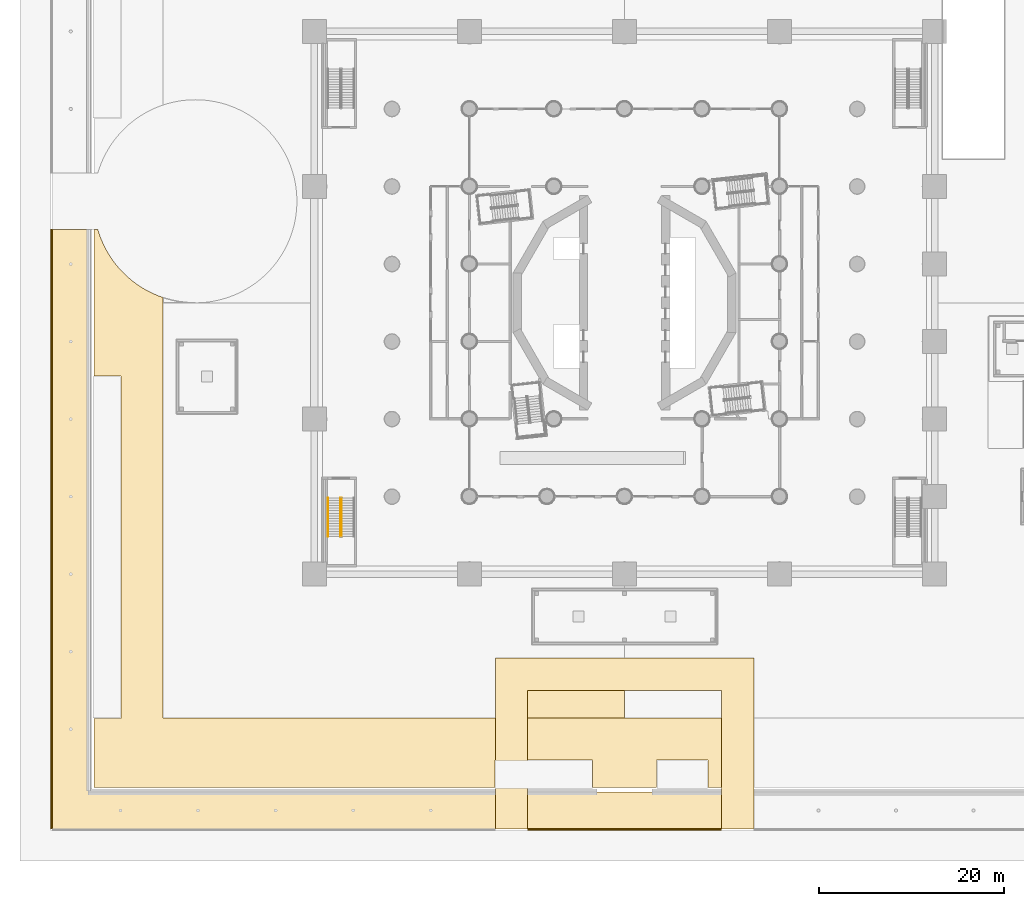
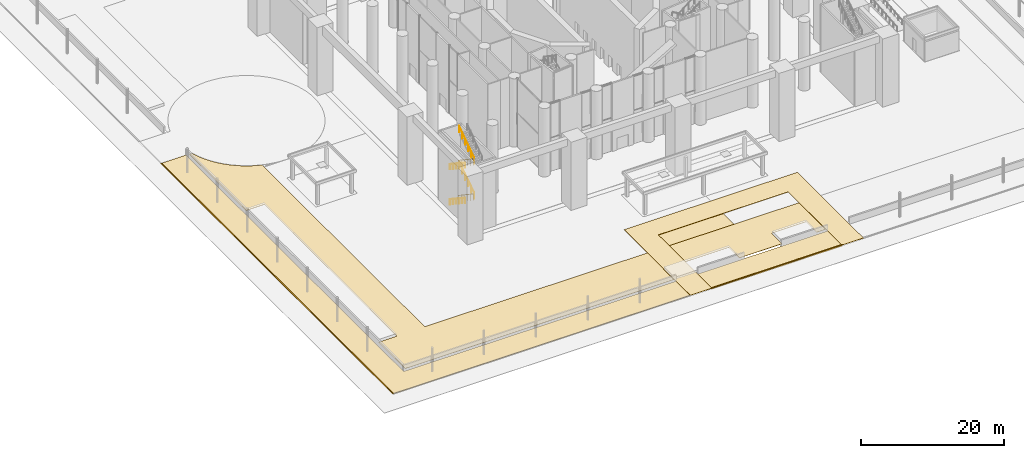
# One storey, part 26 of 52: 8 coverings, 6 railings.
"""IFC4 building model written with IfcOpenShell, lengths in metres."""

from ifc_helpers import new_model, si_unit, direction, frame, origin, origin_2d, place, context, subcontext, project, spatial, polyline, circle, outline, extrude, material, layer, layer_set, type_object, element, save


model = new_model("IFC4")

# Units and contexts
model_context = context("Model", 3, precision=1e-05, world=origin(), true_north=direction((0.0, 1.0)))
body_context = subcontext(model_context, "Body", "Model", "MODEL_VIEW")
ifc_project = project(units=[si_unit("LENGTHUNIT", "METRE"), si_unit("AREAUNIT", "SQUARE_METRE"), si_unit("VOLUMEUNIT", "CUBIC_METRE"), si_unit("PLANEANGLEUNIT", "RADIAN"), si_unit("MASSUNIT", "GRAM", prefix="KILO")], contexts=[model_context])

# Site, building, storey
site_placement = place(None, origin())
site = spatial("IfcSite", under=ifc_project, at=site_placement, CompositionType="ELEMENT")
building_placement = place(site_placement, origin())
building = spatial("IfcBuilding", under=site, at=building_placement, Name="Cantera Rosa Tower", CompositionType="ELEMENT")
storey_placement = place(building_placement, origin())
storey = spatial("IfcBuildingStorey", under=building, at=storey_placement, Name="L00", CompositionType="ELEMENT", Elevation=0.0)

# Coverings
ifc_material_1 = material(Name="Asphalt surfacing")
ifc_layer_1 = layer(ifc_material_1, 0.080078125)
ifc_layer_set_1 = layer_set([ifc_layer_1], Name="Drive surfacing 80")
covering_type_1 = type_object("IfcCoveringType", Name="Drive surfacing 80", PredefinedType="USERDEFINED", material=ifc_layer_set_1)
covering_1_placement = place(storey_placement, origin())
element("IfcCovering", 1, at=covering_1_placement, inside=storey, type_object=covering_type_1, Name="Hotel drop-off lane", ObjectType="DRIVE", PredefinedType="USERDEFINED", context=body_context, shape_type="SweptSolid", body=[
    extrude(outline(polyline([(-10.5, -57.0), (-10.5, -42.0), (10.5, -42.0), (10.5, -57.0), (14.0, -57.0), (14.0, -42.0), (14.0, -38.5), (10.5, -38.5), (-10.5, -38.5), (-14.0, -38.5), (-14.0, -42.0), (-14.0, -57.0), (-10.5, -57.0)])), origin(), (0.0, 0.0, 1.0), 0.080078125),
])
ifc_material_2 = material(Name="Stone paving", Category="masonry")
ifc_layer_2 = layer(ifc_material_2, 0.06005859375)
ifc_layer_set_2 = layer_set([ifc_layer_2], Name="Footway paving 60")
covering_type_2 = type_object("IfcCoveringType", Name="Footway paving 60", PredefinedType="USERDEFINED", material=ifc_layer_set_2)
covering_2_placement = place(storey_placement, origin())
element("IfcCovering", 2, at=covering_2_placement, inside=storey, type_object=covering_type_2, Name="Street footway paving", ObjectType="PAVING", PredefinedType="USERDEFINED", context=body_context, shape_type="SweptSolid", body=[
    extrude(outline(polyline([(-62.0, 7.949951171875), (-62.0, -57.0), (-14.0, -57.0), (-14.0, -53.0), (-58.0, -53.0), (-58.0, 7.949951171875), (-62.0, 7.949951171875)])), origin(), (0.0, 0.0, 1.0), 0.06005859375),
])
covering_3_placement = place(storey_placement, origin())
element("IfcCovering", 3, at=covering_3_placement, inside=storey, type_object=covering_type_2, Name="Street footway paving", ObjectType="PAVING", PredefinedType="USERDEFINED", context=body_context, shape_type="SweptSolid", body=[
    extrude(outline(polyline([(-10.5, -57.0), (10.5, -57.0), (10.5, -53.0), (-10.5, -53.0), (-10.5, -57.0)])), origin(), (0.0, 0.0, 1.0), 0.06005859375),
])
ifc_material_3 = material(Name="Granite kerb", Category="masonry")
ifc_layer_3 = layer(ifc_material_3, 0.14990234375)
ifc_layer_set_3 = layer_set([ifc_layer_3], Name="Kerb 150x150")
covering_type_3 = type_object("IfcCoveringType", Name="Kerb 150x150", PredefinedType="USERDEFINED", material=ifc_layer_set_3)
covering_4_placement = place(storey_placement, origin())
element("IfcCovering", 4, at=covering_4_placement, inside=storey, type_object=covering_type_3, Name="Kerb S2", ObjectType="KERB", PredefinedType="USERDEFINED", context=body_context, shape_type="SweptSolid", body=[
    extrude(outline(polyline([(10.5, -57.14990234375), (10.5, -57.0), (-10.5, -57.0), (-10.5, -57.14990234375), (10.5, -57.14990234375)])), origin(), (0.0, 0.0, 1.0), 0.14990234375),
])
covering_5_placement = place(storey_placement, origin())
element("IfcCovering", 5, at=covering_5_placement, inside=storey, type_object=covering_type_3, Name="Kerb W1", ObjectType="KERB", PredefinedType="USERDEFINED", context=body_context, shape_type="SweptSolid", body=[
    extrude(outline(polyline([(-62.0, -57.0), (-62.0, 7.949951171875), (-62.14990234375, 7.949951171875), (-62.14990234375, -57.0), (-62.0, -57.0)])), origin(), (0.0, 0.0, 1.0), 0.14990234375),
])
ifc_material_4 = material(Name="Stone paving", Category="masonry")
ifc_layer_4 = layer(ifc_material_4, 0.0400390625)
ifc_layer_set_4 = layer_set([ifc_layer_4], Name="Plaza paving 40")
covering_type_4 = type_object("IfcCoveringType", Name="Plaza paving 40", PredefinedType="USERDEFINED", material=ifc_layer_set_4)
covering_6_placement = place(storey_placement, origin())
element("IfcCovering", 6, at=covering_6_placement, inside=storey, type_object=covering_type_4, Name="Plaza paving SW", ObjectType="PAVING", PredefinedType="USERDEFINED", context=body_context, shape_type="SweptSolid", body=[
    extrude(outline(polyline([(-10.5, -42.0), (-10.5, -45.0), (0.0, -45.0), (0.0, -42.0), (-10.5, -42.0)])), origin(), (0.0, 0.0, 1.0), 0.0400390625),
])
covering_7_placement = place(storey_placement, origin())
element("IfcCovering", 7, at=covering_7_placement, inside=storey, type_object=covering_type_4, Name="Paving of the plot yard", ObjectType="PAVING", PredefinedType="USERDEFINED", context=body_context, shape_type="SweptSolid", body=[
    extrude(outline(polyline([(-50.0, -45.0), (-50.0, 0.572265625), (-50.035888671875, 0.583740234375), (-50.374755859375, 0.705078125), (-50.70947265625, 0.83740234375), (-51.039794921875, 0.98046875), (-51.365234375, 1.134521484375), (-51.685302734375, 1.298828125), (-52.0, 1.4736328125), (-52.30859375, 1.65869140625), (-52.611328125, 1.853759765625), (-52.9072265625, 2.05859375), (-53.1962890625, 2.273193359375), (-53.478271484375, 2.496826171875), (-53.752685546875, 2.729736328125), (-54.01953125, 2.971435546875), (-54.2783203125, 3.2216796875), (-54.528564453125, 3.48046875), (-54.770263671875, 3.747314453125), (-55.003173828125, 4.021728515625), (-55.226806640625, 4.3037109375), (-55.44140625, 4.5927734375), (-55.646240234375, 4.888671875), (-55.84130859375, 5.19140625), (-56.0263671875, 5.5), (-56.201171875, 5.814697265625), (-56.365478515625, 6.134765625), (-56.51953125, 6.460205078125), (-56.66259765625, 6.79052734375), (-56.794921875, 7.125244140625), (-56.916259765625, 7.464111328125), (-57.0263671875, 7.806884765625), (-57.067138671875, 7.949951171875), (-57.5, 7.949951171875), (-57.5, -7.949951171875), (-54.60009765625, -7.949951171875), (-54.59521484375, -7.9501953125), (-54.590087890625, -7.950927734375), (-54.58544921875, -7.9521484375), (-54.580810546875, -7.953857421875), (-54.576416015625, -7.955810546875), (-54.572265625, -7.95849609375), (-54.568359375, -7.961181640625), (-54.564697265625, -7.964599609375), (-54.561279296875, -7.96826171875), (-54.558349609375, -7.97216796875), (-54.555908203125, -7.976318359375), (-54.5537109375, -7.98095703125), (-54.55224609375, -7.985595703125), (-54.551025390625, -7.990234375), (-54.55029296875, -7.9951171875), (-54.550048828125, -8.0), (-54.550048828125, -45.0), (-54.55029296875, -45.0048828125), (-54.551025390625, -45.009765625), (-54.55224609375, -45.014404296875), (-54.5537109375, -45.01904296875), (-54.555908203125, -45.023681640625), (-54.558349609375, -45.02783203125), (-54.561279296875, -45.03173828125), (-54.564697265625, -45.035400390625), (-54.568359375, -45.038818359375), (-54.572265625, -45.04150390625), (-54.576416015625, -45.044189453125), (-54.580810546875, -45.046142578125), (-54.58544921875, -45.0478515625), (-54.590087890625, -45.049072265625), (-54.59521484375, -45.0498046875), (-54.60009765625, -45.050048828125), (-57.5, -45.050048828125), (-57.5, -52.5), (-14.050048828125, -52.5), (-14.050048828125, -49.60009765625), (-14.0498046875, -49.59521484375), (-14.049072265625, -49.590087890625), (-14.0478515625, -49.58544921875), (-14.046142578125, -49.580810546875), (-14.044189453125, -49.576416015625), (-14.04150390625, -49.572265625), (-14.038818359375, -49.568359375), (-14.035400390625, -49.564697265625), (-14.03173828125, -49.561279296875), (-14.02783203125, -49.558349609375), (-14.023681640625, -49.555908203125), (-14.01904296875, -49.5537109375), (-14.014404296875, -49.55224609375), (-14.009765625, -49.551025390625), (-14.0048828125, -49.55029296875), (-14.0, -49.550048828125), (-14.0, -45.0), (-50.0, -45.0)])), origin(), (0.0, 0.0, 1.0), 0.0400390625),
])
covering_8_placement = place(storey_placement, origin())
element("IfcCovering", 8, at=covering_8_placement, inside=storey, type_object=covering_type_4, Name="Paving of the plot yard", ObjectType="PAVING", PredefinedType="USERDEFINED", context=body_context, shape_type="SweptSolid", body=[
    extrude(outline(polyline([(10.5, -45.0), (-10.5, -45.0), (-10.5, -49.550048828125), (-3.5, -49.550048828125), (-3.4951171875, -49.55029296875), (-3.490234375, -49.551025390625), (-3.485595703125, -49.55224609375), (-3.48095703125, -49.5537109375), (-3.476318359375, -49.555908203125), (-3.47216796875, -49.558349609375), (-3.46826171875, -49.561279296875), (-3.464599609375, -49.564697265625), (-3.461181640625, -49.568359375), (-3.45849609375, -49.572265625), (-3.455810546875, -49.576416015625), (-3.453857421875, -49.580810546875), (-3.4521484375, -49.58544921875), (-3.450927734375, -49.590087890625), (-3.4501953125, -49.59521484375), (-3.449951171875, -49.60009765625), (-3.449951171875, -52.5), (3.449951171875, -52.5), (3.449951171875, -49.60009765625), (3.4501953125, -49.59521484375), (3.450927734375, -49.590087890625), (3.4521484375, -49.58544921875), (3.453857421875, -49.580810546875), (3.455810546875, -49.576416015625), (3.45849609375, -49.572265625), (3.461181640625, -49.568359375), (3.464599609375, -49.564697265625), (3.46826171875, -49.561279296875), (3.47216796875, -49.558349609375), (3.476318359375, -49.555908203125), (3.48095703125, -49.5537109375), (3.485595703125, -49.55224609375), (3.490234375, -49.551025390625), (3.4951171875, -49.55029296875), (3.5, -49.550048828125), (9.0, -49.550048828125), (9.0048828125, -49.55029296875), (9.009765625, -49.551025390625), (9.014404296875, -49.55224609375), (9.01904296875, -49.5537109375), (9.023681640625, -49.555908203125), (9.02783203125, -49.558349609375), (9.03173828125, -49.561279296875), (9.035400390625, -49.564697265625), (9.038818359375, -49.568359375), (9.04150390625, -49.572265625), (9.044189453125, -49.576416015625), (9.046142578125, -49.580810546875), (9.0478515625, -49.58544921875), (9.049072265625, -49.590087890625), (9.0498046875, -49.59521484375), (9.050048828125, -49.60009765625), (9.050048828125, -52.5), (10.5, -52.5), (10.5, -45.0)])), origin(), (0.0, 0.0, 1.0), 0.0400390625),
])

# Railings
ifc_material_5 = material(Name="Steel S355J2 (EN 10025-2)", Category="steel")
railing_type_1 = type_object("IfcRailingType", Name="STAIR GUARD 1100", PredefinedType="GUARDRAIL", material=ifc_material_5)
railing_1_placement = place(storey_placement, frame((-30.799072265625, -21.125, 0.1875)))
element("IfcRailing", 9, at=railing_1_placement, inside=storey, type_object=railing_type_1, Name="L00 ST-SW stair guard 1", PredefinedType="GUARDRAIL", context=body_context, shape_type="SweptSolid", body=[
    extrude(circle(Radius=0.02392578125, at=origin_2d()), frame((0.0, 0.0, 1.076171875), z_axis=(0.0, -0.830904186295, 0.556415522067), x_axis=(1.0, 0.0, 0.0)), (0.0, 0.0, 1.0), 5.0546875),
    extrude(circle(Radius=0.02099609375, at=origin_2d()), origin(), (0.0, 0.0, 1.0), 1.052001953125),
    extrude(circle(Radius=0.02099609375, at=origin_2d()), frame((0.0, -0.840087890625, 0.5625)), (0.0, 0.0, 1.0), 1.052001953125),
    extrude(circle(Radius=0.02099609375, at=origin_2d()), frame((0.0, -1.679931640625, 1.125)), (0.0, 0.0, 1.0), 1.052001953125),
    extrude(circle(Radius=0.02099609375, at=origin_2d()), frame((0.0, -2.52001953125, 1.6875)), (0.0, 0.0, 1.0), 1.052001953125),
    extrude(circle(Radius=0.02099609375, at=origin_2d()), frame((0.0, -3.35986328125, 2.25)), (0.0, 0.0, 1.0), 1.052001953125),
    extrude(circle(Radius=0.02099609375, at=origin_2d()), frame((0.0, -4.199951171875, 2.8125)), (0.0, 0.0, 1.0), 1.052001953125),
])
railing_2_placement = place(storey_placement, frame((-30.65087890625, -25.324951171875, 3.1875)))
element("IfcRailing", 10, at=railing_2_placement, inside=storey, type_object=railing_type_1, Name="L00 ST-SW stair guard 3", PredefinedType="GUARDRAIL", context=body_context, shape_type="SweptSolid", body=[
    extrude(circle(Radius=0.02392578125, at=origin_2d()), frame((0.0, 0.0, 1.076171875), z_axis=(0.0, 0.830904186295, 0.556415522067), x_axis=(-1.0, 0.0, 0.0)), (0.0, 0.0, 1.0), 5.0546875),
    extrude(circle(Radius=0.02099609375, at=origin_2d()), origin(), (0.0, 0.0, 1.0), 1.052001953125),
    extrude(circle(Radius=0.02099609375, at=origin_2d()), frame((0.0, 0.840087890625, 0.5625)), (0.0, 0.0, 1.0), 1.052001953125),
    extrude(circle(Radius=0.02099609375, at=origin_2d()), frame((0.0, 1.679931640625, 1.125)), (0.0, 0.0, 1.0), 1.052001953125),
    extrude(circle(Radius=0.02099609375, at=origin_2d()), frame((0.0, 2.52001953125, 1.6875)), (0.0, 0.0, 1.0), 1.052001953125),
    extrude(circle(Radius=0.02099609375, at=origin_2d()), frame((0.0, 3.35986328125, 2.25)), (0.0, 0.0, 1.0), 1.052001953125),
    extrude(circle(Radius=0.02099609375, at=origin_2d()), frame((0.0, 4.199951171875, 2.8125)), (0.0, 0.0, 1.0), 1.052001953125),
])
railing_3_placement = place(storey_placement, frame((-30.799072265625, -21.125, 6.1875)))
element("IfcRailing", 11, at=railing_3_placement, inside=storey, type_object=railing_type_1, Name="L00 ST-SW stair guard 5", PredefinedType="GUARDRAIL", context=body_context, shape_type="SweptSolid", body=[
    extrude(circle(Radius=0.02392578125, at=origin_2d()), frame((0.0, 0.0, 1.076171875), z_axis=(0.0, -0.830904186295, 0.556415522067), x_axis=(1.0, 0.0, 0.0)), (0.0, 0.0, 1.0), 5.0546875),
    extrude(circle(Radius=0.02099609375, at=origin_2d()), origin(), (0.0, 0.0, 1.0), 1.052001953125),
    extrude(circle(Radius=0.02099609375, at=origin_2d()), frame((0.0, -0.840087890625, 0.5625)), (0.0, 0.0, 1.0), 1.052001953125),
    extrude(circle(Radius=0.02099609375, at=origin_2d()), frame((0.0, -1.679931640625, 1.125)), (0.0, 0.0, 1.0), 1.052001953125),
    extrude(circle(Radius=0.02099609375, at=origin_2d()), frame((0.0, -2.52001953125, 1.6875)), (0.0, 0.0, 1.0), 1.052001953125),
    extrude(circle(Radius=0.02099609375, at=origin_2d()), frame((0.0, -3.35986328125, 2.25)), (0.0, 0.0, 1.0), 1.052001953125),
    extrude(circle(Radius=0.02099609375, at=origin_2d()), frame((0.0, -4.199951171875, 2.8125)), (0.0, 0.0, 1.0), 1.052001953125),
])
railing_4_placement = place(storey_placement, frame((-30.65087890625, -25.324951171875, 9.1875)))
element("IfcRailing", 12, at=railing_4_placement, inside=storey, type_object=railing_type_1, Name="L00 ST-SW stair guard 7", PredefinedType="GUARDRAIL", context=body_context, shape_type="SweptSolid", body=[
    extrude(circle(Radius=0.02392578125, at=origin_2d()), frame((0.0, 0.0, 1.076171875), z_axis=(0.0, 0.830904186295, 0.556415522067), x_axis=(-1.0, 0.0, 0.0)), (0.0, 0.0, 1.0), 5.0546875),
    extrude(circle(Radius=0.02099609375, at=origin_2d()), origin(), (0.0, 0.0, 1.0), 1.052001953125),
    extrude(circle(Radius=0.02099609375, at=origin_2d()), frame((0.0, 0.840087890625, 0.5625)), (0.0, 0.0, 1.0), 1.052001953125),
    extrude(circle(Radius=0.02099609375, at=origin_2d()), frame((0.0, 1.679931640625, 1.125)), (0.0, 0.0, 1.0), 1.052001953125),
    extrude(circle(Radius=0.02099609375, at=origin_2d()), frame((0.0, 2.52001953125, 1.6875)), (0.0, 0.0, 1.0), 1.052001953125),
    extrude(circle(Radius=0.02099609375, at=origin_2d()), frame((0.0, 3.35986328125, 2.25)), (0.0, 0.0, 1.0), 1.052001953125),
    extrude(circle(Radius=0.02099609375, at=origin_2d()), frame((0.0, 4.199951171875, 2.8125)), (0.0, 0.0, 1.0), 1.052001953125),
])
ifc_material_6 = material(Name="Steel S355J2 (EN 10025-2)", Category="steel")
railing_type_2 = type_object("IfcRailingType", Name="STAIR HANDRAIL 900", PredefinedType="HANDRAIL", material=ifc_material_6)
for number, where, name in (
    (13, (-32.125, -21.125, 0.1875), "L00 ST-SW stair handrail 1"),
    (14, (-32.125, -21.125, 6.1875), "L00 ST-SW stair handrail 3"),
):
    element("IfcRailing", number, at=place(storey_placement, frame(where)), inside=storey, type_object=railing_type_2, Name=name, PredefinedType="HANDRAIL", context=body_context, shape_type="SweptSolid", body=[
        extrude(circle(Radius=0.02392578125, at=origin_2d()), frame((0.0, 0.0, 0.8759765625), z_axis=(0.0, -0.830904186295, 0.556415522067), x_axis=(1.0, 0.0, 0.0)), (0.0, 0.0, 1.0), 5.0546875),
        extrude(circle(Radius=0.02099609375, at=origin_2d()), origin(), (0.0, 0.0, 1.0), 0.851806640625),
        extrude(circle(Radius=0.02099609375, at=origin_2d()), frame((0.0, -0.840087890625, 0.5625)), (0.0, 0.0, 1.0), 0.851806640625),
        extrude(circle(Radius=0.02099609375, at=origin_2d()), frame((0.0, -1.679931640625, 1.125)), (0.0, 0.0, 1.0), 0.851806640625),
        extrude(circle(Radius=0.02099609375, at=origin_2d()), frame((0.0, -2.52001953125, 1.6875)), (0.0, 0.0, 1.0), 0.851806640625),
        extrude(circle(Radius=0.02099609375, at=origin_2d()), frame((0.0, -3.35986328125, 2.25)), (0.0, 0.0, 1.0), 0.851806640625),
        extrude(circle(Radius=0.02099609375, at=origin_2d()), frame((0.0, -4.199951171875, 2.8125)), (0.0, 0.0, 1.0), 0.851806640625),
    ])

save(model, "model.ifc")
